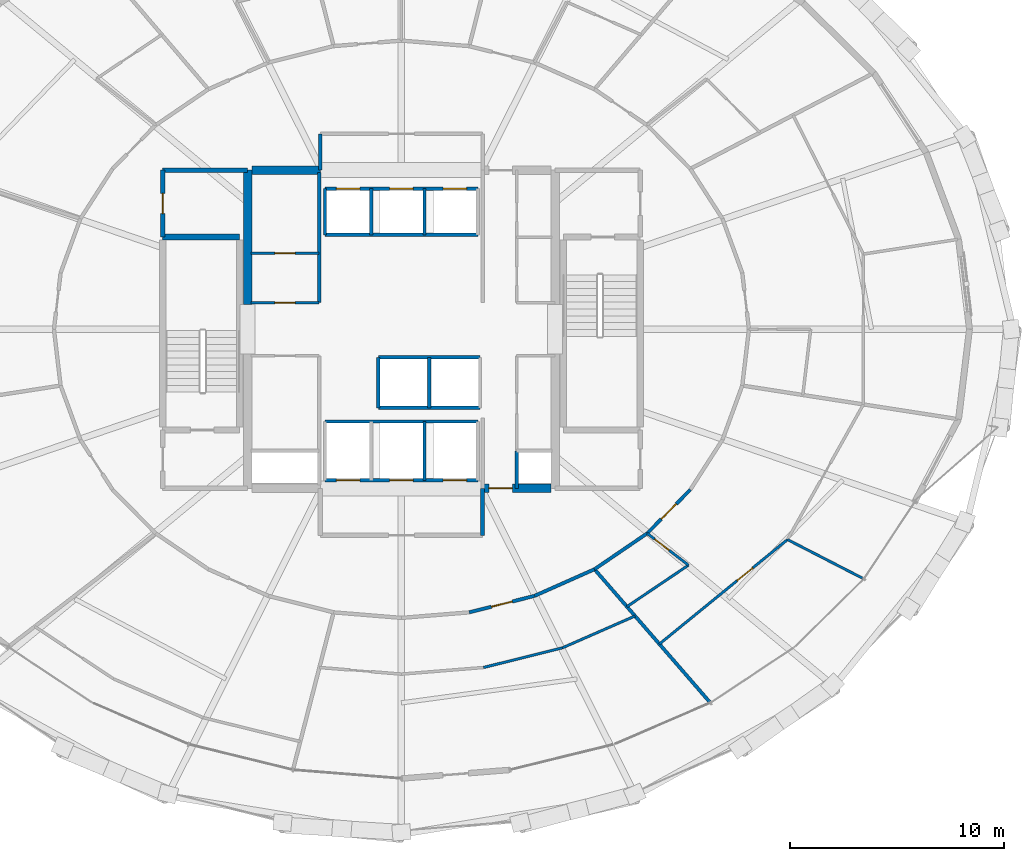
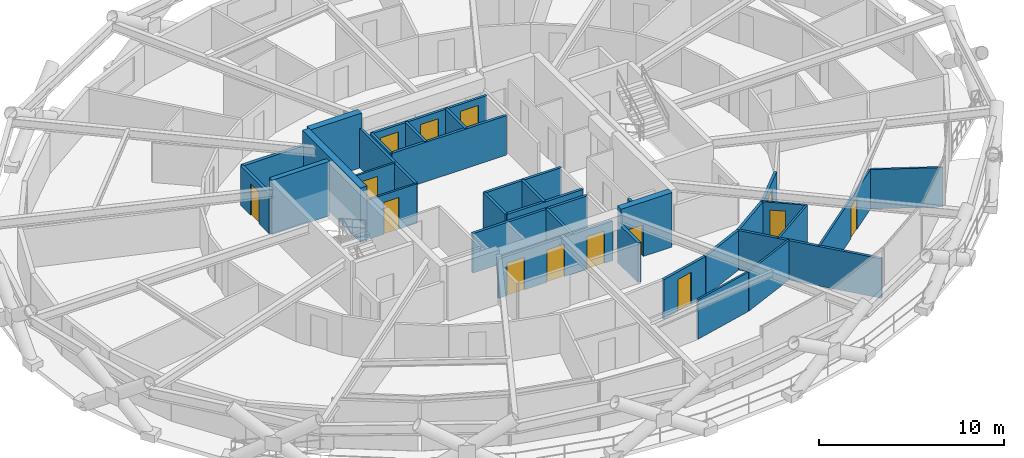
# One storey, part 12 of 17: 35 walls, 14 doors, 14 openings.
"""IFC4 building model written with IfcOpenShell, lengths in metres."""

from ifc_helpers import new_model, si_unit, direction, frame, frame_2d, origin, place, context, subcontext, project, spatial, rectangle, extrude, material, layer, layer_set, type_object, element, fill, save


model = new_model("IFC4")

# Units and contexts
model_context = context("Model", 3, precision=1e-05, world=origin(), true_north=direction((0.0, 1.0)))
body_context = subcontext(model_context, "Body", "Model", "MODEL_VIEW")
ifc_project = project(units=[si_unit("LENGTHUNIT", "METRE"), si_unit("AREAUNIT", "SQUARE_METRE"), si_unit("VOLUMEUNIT", "CUBIC_METRE"), si_unit("PLANEANGLEUNIT", "RADIAN"), si_unit("MASSUNIT", "GRAM", prefix="KILO")], contexts=[model_context])

# Site, building, storey
site_placement = place(None, origin())
site = spatial("IfcSite", under=ifc_project, at=site_placement, CompositionType="ELEMENT")
building_placement = place(site_placement, origin())
building = spatial("IfcBuilding", under=site, at=building_placement, Name="Veldorina Hangang Commons", CompositionType="ELEMENT")
storey_placement = place(building_placement, frame((0.0, 0.0, 55.60009765625)))
storey = spatial("IfcBuildingStorey", under=building, at=storey_placement, Name="L13", CompositionType="ELEMENT", Elevation=55.60009765625)

# Wall
ifc_material_1 = material(Name="Concrete C70/85", Category="concrete")
ifc_layer_1 = layer(ifc_material_1, 0.39990234375)
ifc_layer_set_1 = layer_set([ifc_layer_1], Name="Concrete C70/85")
wall_type_1 = type_object("IfcWallType", Name="CW-RC400-C70", PredefinedType="SHEAR", material=ifc_layer_set_1)
wall_1_placement = place(storey_placement, frame((24.800048828125, 25.14990234375, 0.0), z_axis=(0.0, 0.0, 1.0), x_axis=(0.0, 1.0, 0.0)))
element("IfcWall", 1, at=wall_1_placement, inside=storey, type_object=wall_type_1, Name="L13 W north core shear wall", PredefinedType="SHEAR", context=body_context, shape_type="SweptSolid", body=[
    extrude(rectangle(XDim=6.300048828125, YDim=0.39990234375, at=frame_2d((3.14990234375, 0.0))), origin(), (0.0, 0.0, 1.0), 3.599853515625),
])

# Wall, opening, door
wall_2_placement = place(storey_placement, frame((35.800048828125, 16.550048828125, 0.0), z_axis=(0.0, 0.0, 1.0), x_axis=(1.0, 0.0, 0.0)))
wall_2 = element("IfcWall", 2, at=wall_2_placement, inside=storey, type_object=wall_type_1, Name="L13 south-east core shear wall", PredefinedType="SHEAR", context=body_context, shape_type="SweptSolid", body=[
    extrude(rectangle(XDim=3.199951171875, YDim=0.39990234375, at=frame_2d((1.60009765625, 0.0))), origin(), (0.0, 0.0, 1.0), 3.599853515625),
])
opening_1_placement = place(wall_2_placement, frame((0.300048828125, 0.0, 0.0)))
opening_1 = element("IfcOpeningElement", 3, at=opening_1_placement, cuts=wall_2, Name="Opening D-08", PredefinedType="OPENING", context=body_context, shape_type="SweptSolid", body=[
    extrude(rectangle(XDim=1.10009765625, YDim=2.10009765625, at=frame_2d((0.550048828125, 1.050048828125))), frame((0.0, 0.2099609375, 0.0), z_axis=(0.0, -1.0, 0.0), x_axis=(1.0, 0.0, 0.0)), (0.0, 0.0, 1.0), 0.419921875),
])
ifc_material_2 = material(Name="Steel Fire-Rated Smoke Seal", Category="steel")
door_type_1 = type_object("IfcDoorType", Name="DR-FIRE-1100", OperationType="SINGLE_SWING_RIGHT", PredefinedType="DOOR", material=ifc_material_2)
door_1_placement = place(opening_1_placement, origin())
door_1 = element("IfcDoor", 4, at=door_1_placement, inside=storey, type_object=door_type_1, Name="L13 central lift lobby south corridor door", OperationType="SINGLE_SWING_RIGHT", OverallHeight=2.10009765625, OverallWidth=1.10009765625, PredefinedType="DOOR", context=body_context, shape_type="SweptSolid", body=[
    extrude(rectangle(XDim=1.10009765625, YDim=2.10009765625, at=frame_2d((0.550048828125, 1.050048828125))), frame((0.0, 0.02490234375, 0.0), z_axis=(0.0, -1.0, 0.0), x_axis=(1.0, 0.0, 0.0)), (0.0, 0.0, 1.0), 0.050048828125),
])
fill(opening_1, door_1)

# Walls
wall_3_placement = place(storey_placement, frame((25.0, 31.449951171875, 0.0), z_axis=(0.0, 0.0, 1.0), x_axis=(1.0, 0.0, 0.0)))
element("IfcWall", 5, at=wall_3_placement, inside=storey, type_object=wall_type_1, Name="L13 north-west core shear wall", PredefinedType="SHEAR", context=body_context, shape_type="SweptSolid", body=[
    extrude(rectangle(XDim=3.199951171875, YDim=0.39990234375, at=frame_2d((1.60009765625, 0.0))), origin(), (0.0, 0.0, 1.0), 3.599853515625),
])
ifc_material_3 = material(Name="Concrete C50/60", Category="concrete")
ifc_layer_2 = layer(ifc_material_3, 0.300048828125)
ifc_layer_set_2 = layer_set([ifc_layer_2], Name="Concrete C50/60")
wall_type_2 = type_object("IfcWallType", Name="SW-STAIR-300", PredefinedType="SHEAR", material=ifc_layer_set_2)
wall_4_placement = place(storey_placement, frame((20.820068359375, 28.320068359375, 0.0), z_axis=(0.0, 0.0, 1.0), x_axis=(1.0, 0.0, 0.0)))
element("IfcWall", 6, at=wall_4_placement, inside=storey, type_object=wall_type_2, Name="L13 ST1 north stair shear wall", PredefinedType="SHEAR", context=body_context, shape_type="SweptSolid", body=[
    extrude(rectangle(XDim=3.599853515625, YDim=0.300048828125, at=frame_2d((1.7998046875, 0.0))), origin(), (0.0, 0.0, 1.0), 3.599853515625),
])
ifc_material_4 = material(Name="Gypsum Fire-Rated Twin Stud Wall", Category="gypsum")
ifc_layer_3 = layer(ifc_material_4, 0.159912109375)
ifc_layer_set_3 = layer_set([ifc_layer_3], Name="Gypsum Fire-Rated Twin Stud Wall")
wall_type_3 = type_object("IfcWallType", Name="WL-FIRE-160", PredefinedType="SOLIDWALL", material=ifc_layer_set_3)
wall_5_placement = place(storey_placement, frame((37.39990234375, 16.550048828125, 0.0), z_axis=(0.0, 0.0, 1.0), x_axis=(0.0, 1.0, 0.0)))
element("IfcWall", 7, at=wall_5_placement, inside=storey, type_object=wall_type_3, Name="L13 Lift passage SE stub 010", PredefinedType="SOLIDWALL", context=body_context, shape_type="SweptSolid", body=[
    extrude(rectangle(XDim=1.75, YDim=0.159912109375, at=frame_2d((0.875, 0.0))), origin(), (0.0, 0.0, 1.0), 2.60986328125),
])

# Wall, openings, doors
wall_6_placement = place(storey_placement, frame((28.419921875, 30.580078125, 0.0), z_axis=(0.0, 0.0, 1.0), x_axis=(1.0, 0.0, 0.0)))
wall_6 = element("IfcWall", 8, at=wall_6_placement, inside=storey, type_object=wall_type_3, Name="L13 Low-bank front shaft wall 015", PredefinedType="SOLIDWALL", context=body_context, shape_type="SweptSolid", body=[
    extrude(rectangle(XDim=7.16015625, YDim=0.159912109375, at=frame_2d((3.580078125, 0.0))), origin(), (0.0, 0.0, 1.0), 2.60986328125),
])
opening_2_placement = place(wall_6_placement, frame((0.530029296875, 0.0, 0.0)))
opening_2 = element("IfcOpeningElement", 9, at=opening_2_placement, cuts=wall_6, Name="Opening LD-01", PredefinedType="OPENING", context=body_context, shape_type="SweptSolid", body=[
    extrude(rectangle(XDim=1.10009765625, YDim=2.14990234375, at=frame_2d((0.550048828125, 1.074951171875))), frame((0.0, 0.08984375, 0.0), z_axis=(0.0, -1.0, 0.0), x_axis=(1.0, 0.0, 0.0)), (0.0, 0.0, 1.0), 0.179931640625),
])
opening_3_placement = place(wall_6_placement, frame((3.030029296875, 0.0, 0.0)))
opening_3 = element("IfcOpeningElement", 10, at=opening_3_placement, cuts=wall_6, Name="Opening LD-01", PredefinedType="OPENING", context=body_context, shape_type="SweptSolid", body=[
    extrude(rectangle(XDim=1.10009765625, YDim=2.14990234375, at=frame_2d((0.550048828125, 1.074951171875))), frame((0.0, 0.08984375, 0.0), z_axis=(0.0, -1.0, 0.0), x_axis=(1.0, 0.0, 0.0)), (0.0, 0.0, 1.0), 0.179931640625),
])
opening_4_placement = place(wall_6_placement, frame((5.530029296875, 0.0, 0.0)))
opening_4 = element("IfcOpeningElement", 11, at=opening_4_placement, cuts=wall_6, Name="Opening LD-01", PredefinedType="OPENING", context=body_context, shape_type="SweptSolid", body=[
    extrude(rectangle(XDim=1.10009765625, YDim=2.14990234375, at=frame_2d((0.550048828125, 1.074951171875))), frame((0.0, 0.08984375, 0.0), z_axis=(0.0, -1.0, 0.0), x_axis=(1.0, 0.0, 0.0)), (0.0, 0.0, 1.0), 0.179931640625),
])
ifc_material_5 = material(Name="Stainless Steel Brushed Lift Door", Category="steel")
door_type_2 = type_object("IfcDoorType", Name="DR-LIFT-1100", OperationType="SLIDING_TO_LEFT", PredefinedType="DOOR", material=ifc_material_5)
door_2_placement = place(opening_2_placement, origin())
door_2 = element("IfcDoor", 12, at=door_2_placement, inside=storey, type_object=door_type_2, Name="L13 Lift PL-L1 landing door 006", OperationType="SLIDING_TO_LEFT", OverallHeight=2.14990234375, OverallWidth=1.10009765625, PredefinedType="DOOR", context=body_context, shape_type="SweptSolid", body=[
    extrude(rectangle(XDim=1.10009765625, YDim=2.14990234375, at=frame_2d((0.550048828125, 1.074951171875))), frame((0.0, 0.02490234375, 0.0), z_axis=(0.0, -1.0, 0.0), x_axis=(1.0, 0.0, 0.0)), (0.0, 0.0, 1.0), 0.050048828125),
])
fill(opening_2, door_2)
door_3_placement = place(opening_3_placement, origin())
door_3 = element("IfcDoor", 13, at=door_3_placement, inside=storey, type_object=door_type_2, Name="L13 Lift PL-L2 landing door 007", OperationType="SLIDING_TO_LEFT", OverallHeight=2.14990234375, OverallWidth=1.10009765625, PredefinedType="DOOR", context=body_context, shape_type="SweptSolid", body=[
    extrude(rectangle(XDim=1.10009765625, YDim=2.14990234375, at=frame_2d((0.550048828125, 1.074951171875))), frame((0.0, 0.02490234375, 0.0), z_axis=(0.0, -1.0, 0.0), x_axis=(1.0, 0.0, 0.0)), (0.0, 0.0, 1.0), 0.050048828125),
])
fill(opening_3, door_3)
door_4_placement = place(opening_4_placement, origin())
door_4 = element("IfcDoor", 14, at=door_4_placement, inside=storey, type_object=door_type_2, Name="L13 Lift PL-L3 landing door 008", OperationType="SLIDING_TO_LEFT", OverallHeight=2.14990234375, OverallWidth=1.10009765625, PredefinedType="DOOR", context=body_context, shape_type="SweptSolid", body=[
    extrude(rectangle(XDim=1.10009765625, YDim=2.14990234375, at=frame_2d((0.550048828125, 1.074951171875))), frame((0.0, 0.02490234375, 0.0), z_axis=(0.0, -1.0, 0.0), x_axis=(1.0, 0.0, 0.0)), (0.0, 0.0, 1.0), 0.050048828125),
])
fill(opening_4, door_4)

# Walls
wall_7_placement = place(storey_placement, frame((28.419921875, 28.419921875, 0.0), z_axis=(0.0, 0.0, 1.0), x_axis=(1.0, 0.0, 0.0)))
element("IfcWall", 15, at=wall_7_placement, inside=storey, type_object=wall_type_3, Name="L13 Low-bank rear shaft wall 016", PredefinedType="SOLIDWALL", context=body_context, shape_type="SweptSolid", body=[
    extrude(rectangle(XDim=7.16015625, YDim=0.159912109375, at=frame_2d((3.580078125, 0.0))), origin(), (0.0, 0.0, 1.0), 2.60986328125),
])
for number, where, z_axis, x_axis, name in (
    (16, (28.419921875, 28.419921875, 0.0), (0.0, 0.0, 1.0), (0.0, 1.0, 0.0), "L13 PL-L1 west shaft wall 017"),
    (17, (30.580078125, 28.419921875, 0.0), (0.0, 0.0, 1.0), (0.0, 1.0, 0.0), "L13 PL-L1 east shaft wall 018"),
    (18, (33.080078125, 28.419921875, 0.0), (0.0, 0.0, 1.0), (0.0, 1.0, 0.0), "L13 PL-L2 east shaft wall 019"),
):
    element("IfcWall", number, at=place(storey_placement, frame(where, z_axis=z_axis, x_axis=x_axis)), inside=storey, type_object=wall_type_3, Name=name, PredefinedType="SOLIDWALL", context=body_context, shape_type="SweptSolid", body=[
        extrude(rectangle(XDim=2.16015625, YDim=0.159912109375, at=frame_2d((1.080078125, 0.0))), origin(), (0.0, 0.0, 1.0), 2.60986328125),
    ])
for number, where, z_axis, x_axis, name in (
    (19, (30.919921875, 22.679931640625, 0.0), (0.0, 0.0, 1.0), (1.0, 0.0, 0.0), "L13 Shuttle-high front shaft wall 021"),
    (20, (30.919921875, 20.320068359375, 0.0), (0.0, 0.0, 1.0), (1.0, 0.0, 0.0), "L13 Shuttle-high rear shaft wall 022"),
):
    element("IfcWall", number, at=place(storey_placement, frame(where, z_axis=z_axis, x_axis=x_axis)), inside=storey, type_object=wall_type_3, Name=name, PredefinedType="SOLIDWALL", context=body_context, shape_type="SweptSolid", body=[
        extrude(rectangle(XDim=4.760009765625, YDim=0.159912109375, at=frame_2d((2.3798828125, 0.0))), origin(), (0.0, 0.0, 1.0), 2.60986328125),
    ])
for number, where, z_axis, x_axis, name in (
    (21, (30.919921875, 20.320068359375, 0.0), (0.0, 0.0, 1.0), (0.0, 1.0, 0.0), "L13 SL-1 west shaft wall 023"),
    (22, (33.300048828125, 20.320068359375, 0.0), (0.0, 0.0, 1.0), (0.0, 1.0, 0.0), "L13 SL-1 east shaft wall 024"),
):
    element("IfcWall", number, at=place(storey_placement, frame(where, z_axis=z_axis, x_axis=x_axis)), inside=storey, type_object=wall_type_3, Name=name, PredefinedType="SOLIDWALL", context=body_context, shape_type="SweptSolid", body=[
        extrude(rectangle(XDim=2.35986328125, YDim=0.159912109375, at=frame_2d((1.179931640625, 0.0))), origin(), (0.0, 0.0, 1.0), 2.60986328125),
    ])

# Wall, openings, doors
wall_8_placement = place(storey_placement, frame((28.419921875, 16.919921875, 0.0), z_axis=(0.0, 0.0, 1.0), x_axis=(1.0, 0.0, 0.0)))
wall_8 = element("IfcWall", 23, at=wall_8_placement, inside=storey, type_object=wall_type_3, Name="L13 Emergency front shaft wall 026", PredefinedType="SOLIDWALL", context=body_context, shape_type="SweptSolid", body=[
    extrude(rectangle(XDim=7.16015625, YDim=0.159912109375, at=frame_2d((3.580078125, 0.0))), origin(), (0.0, 0.0, 1.0), 2.60986328125),
])
opening_5_placement = place(wall_8_placement, frame((0.530029296875, 0.0, 0.0)))
opening_5 = element("IfcOpeningElement", 24, at=opening_5_placement, cuts=wall_8, Name="Opening LD-03", PredefinedType="OPENING", context=body_context, shape_type="SweptSolid", body=[
    extrude(rectangle(XDim=1.10009765625, YDim=2.14990234375, at=frame_2d((0.550048828125, 1.074951171875))), frame((0.0, 0.08984375, 0.0), z_axis=(0.0, -1.0, 0.0), x_axis=(1.0, 0.0, 0.0)), (0.0, 0.0, 1.0), 0.179931640625),
])
opening_6_placement = place(wall_8_placement, frame((3.030029296875, 0.0, 0.0)))
opening_6 = element("IfcOpeningElement", 25, at=opening_6_placement, cuts=wall_8, Name="Opening LD-03", PredefinedType="OPENING", context=body_context, shape_type="SweptSolid", body=[
    extrude(rectangle(XDim=1.10009765625, YDim=2.14990234375, at=frame_2d((0.550048828125, 1.074951171875))), frame((0.0, 0.08984375, 0.0), z_axis=(0.0, -1.0, 0.0), x_axis=(1.0, 0.0, 0.0)), (0.0, 0.0, 1.0), 0.179931640625),
])
opening_7_placement = place(wall_8_placement, frame((5.530029296875, 0.0, 0.0)))
opening_7 = element("IfcOpeningElement", 26, at=opening_7_placement, cuts=wall_8, Name="Opening LD-03", PredefinedType="OPENING", context=body_context, shape_type="SweptSolid", body=[
    extrude(rectangle(XDim=1.10009765625, YDim=2.14990234375, at=frame_2d((0.550048828125, 1.074951171875))), frame((0.0, 0.08984375, 0.0), z_axis=(0.0, -1.0, 0.0), x_axis=(1.0, 0.0, 0.0)), (0.0, 0.0, 1.0), 0.179931640625),
])
ifc_material_6 = material(Name="Stainless Steel Firefighting Lift Door", Category="steel")
door_type_3 = type_object("IfcDoorType", Name="DR-LIFT-FF1100", OperationType="SLIDING_TO_RIGHT", PredefinedType="DOOR", material=ifc_material_6)
door_5_placement = place(opening_5_placement, origin())
door_5 = element("IfcDoor", 27, at=door_5_placement, inside=storey, type_object=door_type_3, Name="L13 Emergency lift FFL-1 landing door 009", OperationType="SLIDING_TO_RIGHT", OverallHeight=2.14990234375, OverallWidth=1.10009765625, PredefinedType="DOOR", context=body_context, shape_type="SweptSolid", body=[
    extrude(rectangle(XDim=1.10009765625, YDim=2.14990234375, at=frame_2d((0.550048828125, 1.074951171875))), frame((0.0, 0.02490234375, 0.0), z_axis=(0.0, -1.0, 0.0), x_axis=(1.0, 0.0, 0.0)), (0.0, 0.0, 1.0), 0.050048828125),
])
fill(opening_5, door_5)
door_6_placement = place(opening_6_placement, origin())
door_6 = element("IfcDoor", 28, at=door_6_placement, inside=storey, type_object=door_type_3, Name="L13 Emergency lift FFL-2 landing door 010", OperationType="SLIDING_TO_RIGHT", OverallHeight=2.14990234375, OverallWidth=1.10009765625, PredefinedType="DOOR", context=body_context, shape_type="SweptSolid", body=[
    extrude(rectangle(XDim=1.10009765625, YDim=2.14990234375, at=frame_2d((0.550048828125, 1.074951171875))), frame((0.0, 0.02490234375, 0.0), z_axis=(0.0, -1.0, 0.0), x_axis=(1.0, 0.0, 0.0)), (0.0, 0.0, 1.0), 0.050048828125),
])
fill(opening_6, door_6)
door_7_placement = place(opening_7_placement, origin())
door_7 = element("IfcDoor", 29, at=door_7_placement, inside=storey, type_object=door_type_3, Name="L13 Emergency lift EVL-1 landing door 011", OperationType="SLIDING_TO_RIGHT", OverallHeight=2.14990234375, OverallWidth=1.10009765625, PredefinedType="DOOR", context=body_context, shape_type="SweptSolid", body=[
    extrude(rectangle(XDim=1.10009765625, YDim=2.14990234375, at=frame_2d((0.550048828125, 1.074951171875))), frame((0.0, 0.02490234375, 0.0), z_axis=(0.0, -1.0, 0.0), x_axis=(1.0, 0.0, 0.0)), (0.0, 0.0, 1.0), 0.050048828125),
])
fill(opening_7, door_7)

# Walls
wall_9_placement = place(storey_placement, frame((28.419921875, 19.679931640625, 0.0), z_axis=(0.0, 0.0, 1.0), x_axis=(1.0, 0.0, 0.0)))
element("IfcWall", 30, at=wall_9_placement, inside=storey, type_object=wall_type_3, Name="L13 Emergency rear shaft wall 027", PredefinedType="SOLIDWALL", context=body_context, shape_type="SweptSolid", body=[
    extrude(rectangle(XDim=7.16015625, YDim=0.159912109375, at=frame_2d((3.580078125, 0.0))), origin(), (0.0, 0.0, 1.0), 2.60986328125),
])
wall_10_placement = place(storey_placement, frame((33.080078125, 16.919921875, 0.0), z_axis=(0.0, 0.0, 1.0), x_axis=(0.0, 1.0, 0.0)))
element("IfcWall", 31, at=wall_10_placement, inside=storey, type_object=wall_type_3, Name="L13 FFL-2 east shaft wall 030", PredefinedType="SOLIDWALL", context=body_context, shape_type="SweptSolid", body=[
    extrude(rectangle(XDim=2.760009765625, YDim=0.159912109375, at=frame_2d((1.3798828125, 0.0))), origin(), (0.0, 0.0, 1.0), 2.60986328125),
])
wall_11_placement = place(storey_placement, frame((28.199951171875, 31.449951171875, 0.0), z_axis=(0.0, 0.0, 1.0), x_axis=(0.0, 1.0, 0.0)))
element("IfcWall", 32, at=wall_11_placement, inside=storey, type_object=wall_type_3, Name="L13 North lobby west wall 032", PredefinedType="SOLIDWALL", context=body_context, shape_type="SweptSolid", body=[
    extrude(rectangle(XDim=1.699951171875, YDim=0.159912109375, at=frame_2d((0.85009765625, 0.0))), origin(), (0.0, 0.0, 1.0), 2.60986328125),
])
wall_12_placement = place(storey_placement, frame((28.14990234375, 25.25, 0.0), z_axis=(0.0, 0.0, 1.0), x_axis=(0.0, 1.0, 0.0)))
element("IfcWall", 33, at=wall_12_placement, inside=storey, type_object=wall_type_3, Name="L13 NW core inner wall 038", PredefinedType="SOLIDWALL", context=body_context, shape_type="SweptSolid", body=[
    extrude(rectangle(XDim=6.10009765625, YDim=0.159912109375, at=frame_2d((3.050048828125, 0.0))), origin(), (0.0, 0.0, 1.0), 2.60986328125),
])

# Wall, opening, door
wall_13_placement = place(storey_placement, frame((35.1748046875, 10.74169921875, 0.0), z_axis=(0.0, 0.0, 1.0), x_axis=(0.969689238064, 0.244341526521, 0.0)))
wall_13 = element("IfcWall", 34, at=wall_13_placement, inside=storey, type_object=wall_type_3, Name="L13 Corridor outer wall 25 072", PredefinedType="SOLIDWALL", context=body_context, shape_type="SweptSolid", body=[
    extrude(rectangle(XDim=3.1484375, YDim=0.159912109375, at=frame_2d((1.57421875, 0.0))), origin(), (0.0, 0.0, 1.0), 2.60986328125),
])
opening_8_placement = place(wall_13_placement, frame((1.07421875, 0.0, 0.0)))
opening_8 = element("IfcOpeningElement", 35, at=opening_8_placement, cuts=wall_13, Name="Opening D-05", PredefinedType="OPENING", context=body_context, shape_type="SweptSolid", body=[
    extrude(rectangle(XDim=1.0, YDim=2.10009765625, at=frame_2d((0.5, 1.050048828125))), frame((0.0, 0.08984375, 0.0), z_axis=(0.0, -1.0, 0.0), x_axis=(1.0, 0.0, 0.0)), (0.0, 0.0, 1.0), 0.179931640625),
])
ifc_material_7 = material(Name="Timber Solid Core Acoustic", Category="wood")
door_type_4 = type_object("IfcDoorType", Name="DR-INT-1000", OperationType="SINGLE_SWING_RIGHT", PredefinedType="DOOR", material=ifc_material_7)
door_8_placement = place(opening_8_placement, origin())
door_8 = element("IfcDoor", 36, at=door_8_placement, inside=storey, type_object=door_type_4, Name="L13 Commons alcove door 019", OperationType="SINGLE_SWING_LEFT", OverallHeight=2.10009765625, OverallWidth=1.0, PredefinedType="DOOR", context=body_context, shape_type="SweptSolid", body=[
    extrude(rectangle(XDim=1.0, YDim=2.10009765625, at=frame_2d((0.5, 1.050048828125))), frame((0.0, 0.02490234375, 0.0), z_axis=(0.0, -1.0, 0.0), x_axis=(1.0, 0.0, 0.0)), (0.0, 0.0, 1.0), 0.050048828125),
])
fill(opening_8, door_8)

# Walls
wall_14_placement = place(storey_placement, frame((38.227783203125, 11.510986328125, 0.0), z_axis=(0.0, 0.0, 1.0), x_axis=(0.913952123493, 0.405822024984, 0.0)))
element("IfcWall", 37, at=wall_14_placement, inside=storey, type_object=wall_type_3, Name="L13 Corridor outer wall 26 073", PredefinedType="SOLIDWALL", context=body_context, shape_type="SweptSolid", body=[
    extrude(rectangle(XDim=3.078369140625, YDim=0.159912109375, at=frame_2d((1.5390625, 0.0))), origin(), (0.0, 0.0, 1.0), 2.60986328125),
])
wall_15_placement = place(storey_placement, frame((41.041259765625, 12.76025390625, 0.0), z_axis=(0.0, 0.0, 1.0), x_axis=(0.826293096206, 0.56324037423, 0.0)))
element("IfcWall", 38, at=wall_15_placement, inside=storey, type_object=wall_type_3, Name="L13 Corridor outer wall 27 074", PredefinedType="SOLIDWALL", context=body_context, shape_type="SweptSolid", body=[
    extrude(rectangle(XDim=2.98486328125, YDim=0.159912109375, at=frame_2d((1.492431640625, 0.0))), origin(), (0.0, 0.0, 1.0), 2.60986328125),
])

# Wall, opening, door
wall_16_placement = place(storey_placement, frame((43.507568359375, 14.44140625, 0.0), z_axis=(0.0, 0.0, 1.0), x_axis=(0.702811997, 0.711375636969, 0.0)))
wall_16 = element("IfcWall", 39, at=wall_16_placement, inside=storey, type_object=wall_type_3, Name="L13 Corridor outer wall 28 075", PredefinedType="SOLIDWALL", context=body_context, shape_type="SweptSolid", body=[
    extrude(rectangle(XDim=2.87939453125, YDim=0.159912109375, at=frame_2d((1.439697265625, 0.0))), origin(), (0.0, 0.0, 1.0), 2.60986328125),
])
opening_9_placement = place(wall_16_placement, frame((0.939697265625, 0.0, 0.0)))
opening_9 = element("IfcOpeningElement", 40, at=opening_9_placement, cuts=wall_16, Name="Opening D-06", PredefinedType="OPENING", context=body_context, shape_type="SweptSolid", body=[
    extrude(rectangle(XDim=1.0, YDim=2.10009765625, at=frame_2d((0.5, 1.050048828125))), frame((0.0, 0.08984375, 0.0), z_axis=(0.0, -1.0, 0.0), x_axis=(1.0, 0.0, 0.0)), (0.0, 0.0, 1.0), 0.179931640625),
])
ifc_material_8 = material(Name="Timber Fire-Rated Entrance Core", Category="wood")
door_type_5 = type_object("IfcDoorType", Name="DR-UNIT-1000", OperationType="SINGLE_SWING_LEFT", PredefinedType="DOOR", material=ifc_material_8)
door_9_placement = place(opening_9_placement, origin())
door_9 = element("IfcDoor", 41, at=door_9_placement, inside=storey, type_object=door_type_5, Name="L13 Cluster 2 entrance door 022", OperationType="SINGLE_SWING_RIGHT", OverallHeight=2.10009765625, OverallWidth=1.0, PredefinedType="DOOR", context=body_context, shape_type="SweptSolid", body=[
    extrude(rectangle(XDim=1.0, YDim=2.10009765625, at=frame_2d((0.5, 1.050048828125))), frame((0.0, 0.02490234375, 0.0), z_axis=(0.0, -1.0, 0.0), x_axis=(1.0, 0.0, 0.0)), (0.0, 0.0, 1.0), 0.050048828125),
])
fill(opening_9, door_9)

# Wall
wall_17_placement = place(storey_placement, frame((41.041259765625, 12.76025390625, 0.0), z_axis=(0.0, 0.0, 1.0), x_axis=(0.655291843771, -0.755375800173, 0.0)))
element("IfcWall", 42, at=wall_17_placement, inside=storey, type_object=wall_type_3, Name="L13 Unit party wall 27 084", PredefinedType="SOLIDWALL", context=body_context, shape_type="SweptSolid", body=[
    extrude(rectangle(XDim=8.23046875, YDim=0.159912109375, at=frame_2d((4.115234375, 0.0))), origin(), (0.0, 0.0, 1.0), 2.60986328125),
])

# Wall, opening, door
ifc_material_9 = material(Name="Concrete Blockwork Fire Wall C30/37", Category="masonry")
ifc_layer_4 = layer(ifc_material_9, 0.199951171875)
ifc_layer_set_4 = layer_set([ifc_layer_4], Name="Concrete Blockwork Fire Wall C30/37")
wall_type_4 = type_object("IfcWallType", Name="WL-FIRE-200", PredefinedType="SOLIDWALL", material=ifc_layer_set_4)
wall_18_placement = place(storey_placement, frame((20.820068359375, 28.320068359375, 0.0), z_axis=(0.0, 0.0, 1.0), x_axis=(0.0, 1.0, 0.0)))
wall_18 = element("IfcWall", 43, at=wall_18_placement, inside=storey, type_object=wall_type_4, Name="L13 NW core room outer wall 005", PredefinedType="SOLIDWALL", context=body_context, shape_type="SweptSolid", body=[
    extrude(rectangle(XDim=3.1298828125, YDim=0.199951171875, at=frame_2d((1.56494140625, 0.0))), origin(), (0.0, 0.0, 1.0), 2.60986328125),
])
opening_10_placement = place(wall_18_placement, frame((1.090087890625, 0.0, 0.0)))
opening_10 = element("IfcOpeningElement", 44, at=opening_10_placement, cuts=wall_18, Name="Opening D-04", PredefinedType="OPENING", context=body_context, shape_type="SweptSolid", body=[
    extrude(rectangle(XDim=0.949951171875, YDim=2.10009765625, at=frame_2d((0.47509765625, 1.050048828125))), frame((0.0, 0.10986328125, 0.0), z_axis=(0.0, -1.0, 0.0), x_axis=(1.0, 0.0, 0.0)), (0.0, 0.0, 1.0), 0.219970703125),
])
ifc_material_10 = material(Name="Timber Accessible Flush Leaf", Category="wood")
door_type_6 = type_object("IfcDoorType", Name="DR-ACC-950", OperationType="SINGLE_SWING_LEFT", PredefinedType="DOOR", material=ifc_material_10)
door_10_placement = place(opening_10_placement, origin())
door_10 = element("IfcDoor", 45, at=door_10_placement, inside=storey, type_object=door_type_6, Name="L13 NW core WC door 003", OperationType="SINGLE_SWING_LEFT", OverallHeight=2.10009765625, OverallWidth=0.949951171875, PredefinedType="DOOR", context=body_context, shape_type="SweptSolid", body=[
    extrude(rectangle(XDim=0.949951171875, YDim=2.10009765625, at=frame_2d((0.47509765625, 1.050048828125))), frame((0.0, 0.02490234375, 0.0), z_axis=(0.0, -1.0, 0.0), x_axis=(1.0, 0.0, 0.0)), (0.0, 0.0, 1.0), 0.050048828125),
])
fill(opening_10, door_10)

# Walls
wall_19_placement = place(storey_placement, frame((20.820068359375, 31.449951171875, 0.0), z_axis=(0.0, 0.0, 1.0), x_axis=(1.0, 0.0, 0.0)))
element("IfcWall", 46, at=wall_19_placement, inside=storey, type_object=wall_type_4, Name="L13 NW core room north wall 006", PredefinedType="SOLIDWALL", context=body_context, shape_type="SweptSolid", body=[
    extrude(rectangle(XDim=3.97998046875, YDim=0.199951171875, at=frame_2d((1.989990234375, 0.0))), origin(), (0.0, 0.0, 1.0), 2.60986328125),
])
wall_20_placement = place(storey_placement, frame((35.800048828125, 14.35009765625, 0.0), z_axis=(0.0, 0.0, 1.0), x_axis=(0.0, 1.0, 0.0)))
element("IfcWall", 47, at=wall_20_placement, inside=storey, type_object=wall_type_4, Name="L13 FF lobby east wall 013", PredefinedType="SOLIDWALL", context=body_context, shape_type="SweptSolid", body=[
    extrude(rectangle(XDim=2.199951171875, YDim=0.199951171875, at=frame_2d((1.10009765625, 0.0))), origin(), (0.0, 0.0, 1.0), 2.60986328125),
])

# Wall, opening, door
ifc_material_11 = material(Name="Gypsum Acoustic Stud Partition", Category="gypsum")
ifc_layer_5 = layer(ifc_material_11, 0.1201171875)
ifc_layer_set_5 = layer_set([ifc_layer_5], Name="Gypsum Acoustic Stud Partition")
wall_type_5 = type_object("IfcWallType", Name="WL-PART-120", PredefinedType="PARTITIONING", material=ifc_layer_set_5)
wall_21_placement = place(storey_placement, frame((24.949951171875, 25.25, 0.0), z_axis=(0.0, 0.0, 1.0), x_axis=(1.0, 0.0, 0.0)))
wall_21 = element("IfcWall", 48, at=wall_21_placement, inside=storey, type_object=wall_type_5, Name="L13 NW service south wall 039", PredefinedType="PARTITIONING", context=body_context, shape_type="SweptSolid", body=[
    extrude(rectangle(XDim=3.199951171875, YDim=0.1201171875, at=frame_2d((1.60009765625, 0.0))), origin(), (0.0, 0.0, 1.0), 2.60986328125),
])
opening_11_placement = place(wall_21_placement, frame((1.125, 0.0, 0.0)))
opening_11 = element("IfcOpeningElement", 49, at=opening_11_placement, cuts=wall_21, Name="Opening D-02", PredefinedType="OPENING", context=body_context, shape_type="SweptSolid", body=[
    extrude(rectangle(XDim=0.949951171875, YDim=2.10009765625, at=frame_2d((0.47509765625, 1.050048828125))), frame((0.0, 0.070068359375, 0.0), z_axis=(0.0, -1.0, 0.0), x_axis=(1.0, 0.0, 0.0)), (0.0, 0.0, 1.0), 0.14013671875),
])
door_type_7 = type_object("IfcDoorType", Name="DR-INT-950", OperationType="SINGLE_SWING_LEFT", PredefinedType="DOOR", material=ifc_material_7)
door_11_placement = place(opening_11_placement, origin())
door_11 = element("IfcDoor", 50, at=door_11_placement, inside=storey, type_object=door_type_7, Name="L13 Housekeeping pantry door 013", OperationType="SINGLE_SWING_LEFT", OverallHeight=2.10009765625, OverallWidth=0.949951171875, PredefinedType="DOOR", context=body_context, shape_type="SweptSolid", body=[
    extrude(rectangle(XDim=0.949951171875, YDim=2.10009765625, at=frame_2d((0.47509765625, 1.050048828125))), frame((0.0, 0.02490234375, 0.0), z_axis=(0.0, -1.0, 0.0), x_axis=(1.0, 0.0, 0.0)), (0.0, 0.0, 1.0), 0.050048828125),
])
fill(opening_11, door_11)

wall_22_placement = place(storey_placement, frame((24.949951171875, 27.550048828125, 0.0), z_axis=(0.0, 0.0, 1.0), x_axis=(1.0, 0.0, 0.0)))
wall_22 = element("IfcWall", 51, at=wall_22_placement, inside=storey, type_object=wall_type_5, Name="L13 NW mid wall 045", PredefinedType="PARTITIONING", context=body_context, shape_type="SweptSolid", body=[
    extrude(rectangle(XDim=3.199951171875, YDim=0.1201171875, at=frame_2d((1.60009765625, 0.0))), origin(), (0.0, 0.0, 1.0), 2.60986328125),
])
opening_12_placement = place(wall_22_placement, frame((1.125, 0.0, 0.0)))
opening_12 = element("IfcOpeningElement", 52, at=opening_12_placement, cuts=wall_22, Name="Opening D-02", PredefinedType="OPENING", context=body_context, shape_type="SweptSolid", body=[
    extrude(rectangle(XDim=0.949951171875, YDim=2.10009765625, at=frame_2d((0.47509765625, 1.050048828125))), frame((0.0, 0.070068359375, 0.0), z_axis=(0.0, -1.0, 0.0), x_axis=(1.0, 0.0, 0.0)), (0.0, 0.0, 1.0), 0.14013671875),
])
door_12_placement = place(opening_12_placement, origin())
door_12 = element("IfcDoor", 53, at=door_12_placement, inside=storey, type_object=door_type_7, Name="L13 Bedding store door 014", OperationType="SINGLE_SWING_RIGHT", OverallHeight=2.10009765625, OverallWidth=0.949951171875, PredefinedType="DOOR", context=body_context, shape_type="SweptSolid", body=[
    extrude(rectangle(XDim=0.949951171875, YDim=2.10009765625, at=frame_2d((0.47509765625, 1.050048828125))), frame((0.0, 0.02490234375, 0.0), z_axis=(0.0, -1.0, 0.0), x_axis=(1.0, 0.0, 0.0)), (0.0, 0.0, 1.0), 0.050048828125),
])
fill(opening_12, door_12)

# Walls
wall_23_placement = place(storey_placement, frame((35.841796875, 8.159423828125, 0.0), z_axis=(0.0, 0.0, 1.0), x_axis=(0.970409761788, 0.241464064049, 0.0)))
element("IfcWall", 54, at=wall_23_placement, inside=storey, type_object=wall_type_5, Name="L13 Lounge alcove split 2 082", PredefinedType="PARTITIONING", context=body_context, shape_type="SweptSolid", body=[
    extrude(rectangle(XDim=3.806640625, YDim=0.1201171875, at=frame_2d((1.9033203125, 0.0))), origin(), (0.0, 0.0, 1.0), 2.60986328125),
])
wall_24_placement = place(storey_placement, frame((39.535888671875, 9.07861328125, 0.0), z_axis=(0.0, 0.0, 1.0), x_axis=(0.915866176648, 0.401483681452, 0.0)))
element("IfcWall", 55, at=wall_24_placement, inside=storey, type_object=wall_type_5, Name="L13 Lounge alcove split 3 083", PredefinedType="PARTITIONING", context=body_context, shape_type="SweptSolid", body=[
    extrude(rectangle(XDim=3.71728515625, YDim=0.1201171875, at=frame_2d((1.858642578125, 0.0))), origin(), (0.0, 0.0, 1.0), 2.60986328125),
])
wall_25_placement = place(storey_placement, frame((42.560546875, 11.0087890625, 0.0), z_axis=(0.0, 0.0, 1.0), x_axis=(0.829022132353, 0.55921579383, 0.0)))
element("IfcWall", 56, at=wall_25_placement, inside=storey, type_object=wall_type_5, Name="L13 Cluster 2 bath front wall 085", PredefinedType="PARTITIONING", context=body_context, shape_type="SweptSolid", body=[
    extrude(rectangle(XDim=3.474609375, YDim=0.1201171875, at=frame_2d((1.7373046875, 0.0))), origin(), (0.0, 0.0, 1.0), 2.60986328125),
])

# Wall, opening, door
wall_26_placement = place(storey_placement, frame((43.507568359375, 14.44140625, 0.0), z_axis=(0.0, 0.0, 1.0), x_axis=(0.792203618537, -0.610256853118, 0.0)))
wall_26 = element("IfcWall", 57, at=wall_26_placement, inside=storey, type_object=wall_type_5, Name="L13 Cluster 2 bath side wall 086", PredefinedType="PARTITIONING", context=body_context, shape_type="SweptSolid", body=[
    extrude(rectangle(XDim=2.440673828125, YDim=0.1201171875, at=frame_2d((1.22021484375, 0.0))), origin(), (0.0, 0.0, 1.0), 2.60986328125),
])
opening_13_placement = place(wall_26_placement, frame((0.43994140625, 0.0, 0.0)))
opening_13 = element("IfcOpeningElement", 58, at=opening_13_placement, cuts=wall_26, Name="Opening D-01", PredefinedType="OPENING", context=body_context, shape_type="SweptSolid", body=[
    extrude(rectangle(XDim=0.860107421875, YDim=2.10009765625, at=frame_2d((0.43017578125, 1.050048828125))), frame((0.0, 0.070068359375, 0.0), z_axis=(0.0, -1.0, 0.0), x_axis=(1.0, 0.0, 0.0)), (0.0, 0.0, 1.0), 0.14013671875),
])
ifc_material_12 = material(Name="Timber Moisture-Resistant Core", Category="wood")
door_type_8 = type_object("IfcDoorType", Name="DR-WET-860", OperationType="SINGLE_SWING_LEFT", PredefinedType="DOOR", material=ifc_material_12)
door_13_placement = place(opening_13_placement, origin())
door_13 = element("IfcDoor", 59, at=door_13_placement, inside=storey, type_object=door_type_8, Name="L13 Cluster 2 shared bathroom door 021", OperationType="SINGLE_SWING_LEFT", OverallHeight=2.10009765625, OverallWidth=0.860107421875, PredefinedType="DOOR", context=body_context, shape_type="SweptSolid", body=[
    extrude(rectangle(XDim=0.860107421875, YDim=2.10009765625, at=frame_2d((0.43017578125, 1.050048828125))), frame((0.0, 0.02490234375, 0.0), z_axis=(0.0, -1.0, 0.0), x_axis=(1.0, 0.0, 0.0)), (0.0, 0.0, 1.0), 0.050048828125),
])
fill(opening_13, door_13)

wall_27_placement = place(storey_placement, frame((44.079833984375, 9.257568359375, 0.0), z_axis=(0.0, 0.0, 1.0), x_axis=(0.774997536741, 0.631964253772, 0.0)))
wall_27 = element("IfcWall", 60, at=wall_27_placement, inside=storey, type_object=wall_type_5, Name="L13 Cluster 2 bed 1 front wall 087", PredefinedType="PARTITIONING", context=body_context, shape_type="SweptSolid", body=[
    extrude(rectangle(XDim=7.74072265625, YDim=0.1201171875, at=frame_2d((3.870361328125, 0.0))), origin(), (0.0, 0.0, 1.0), 2.60986328125),
])
opening_14_placement = place(wall_27_placement, frame((4.69580078125, 0.0, 0.0)))
opening_14 = element("IfcOpeningElement", 61, at=opening_14_placement, cuts=wall_27, Name="Opening D-02", PredefinedType="OPENING", context=body_context, shape_type="SweptSolid", body=[
    extrude(rectangle(XDim=0.949951171875, YDim=2.10009765625, at=frame_2d((0.47509765625, 1.050048828125))), frame((0.0, 0.070068359375, 0.0), z_axis=(0.0, -1.0, 0.0), x_axis=(1.0, 0.0, 0.0)), (0.0, 0.0, 1.0), 0.14013671875),
])
door_14_placement = place(opening_14_placement, origin())
door_14 = element("IfcDoor", 62, at=door_14_placement, inside=storey, type_object=door_type_7, Name="L13 Cluster 2 bed 1 door 023", OperationType="SINGLE_SWING_LEFT", OverallHeight=2.10009765625, OverallWidth=0.949951171875, PredefinedType="DOOR", context=body_context, shape_type="SweptSolid", body=[
    extrude(rectangle(XDim=0.949951171875, YDim=2.10009765625, at=frame_2d((0.47509765625, 1.050048828125))), frame((0.0, 0.02490234375, 0.0), z_axis=(0.0, -1.0, 0.0), x_axis=(1.0, 0.0, 0.0)), (0.0, 0.0, 1.0), 0.050048828125),
])
fill(opening_14, door_14)

# Wall
wall_28_placement = place(storey_placement, frame((50.078857421875, 14.1494140625, 0.0), z_axis=(0.0, 0.0, 1.0), x_axis=(0.889149798014, -0.457616254838, 0.0)))
element("IfcWall", 63, at=wall_28_placement, inside=storey, type_object=wall_type_5, Name="L13 Cluster 2 bed divider 1 089", PredefinedType="PARTITIONING", context=body_context, shape_type="SweptSolid", body=[
    extrude(rectangle(XDim=3.96875, YDim=0.1201171875, at=frame_2d((1.984375, 0.0))), origin(), (0.0, 0.0, 1.0), 2.60986328125),
])

save(model, "model.ifc")
